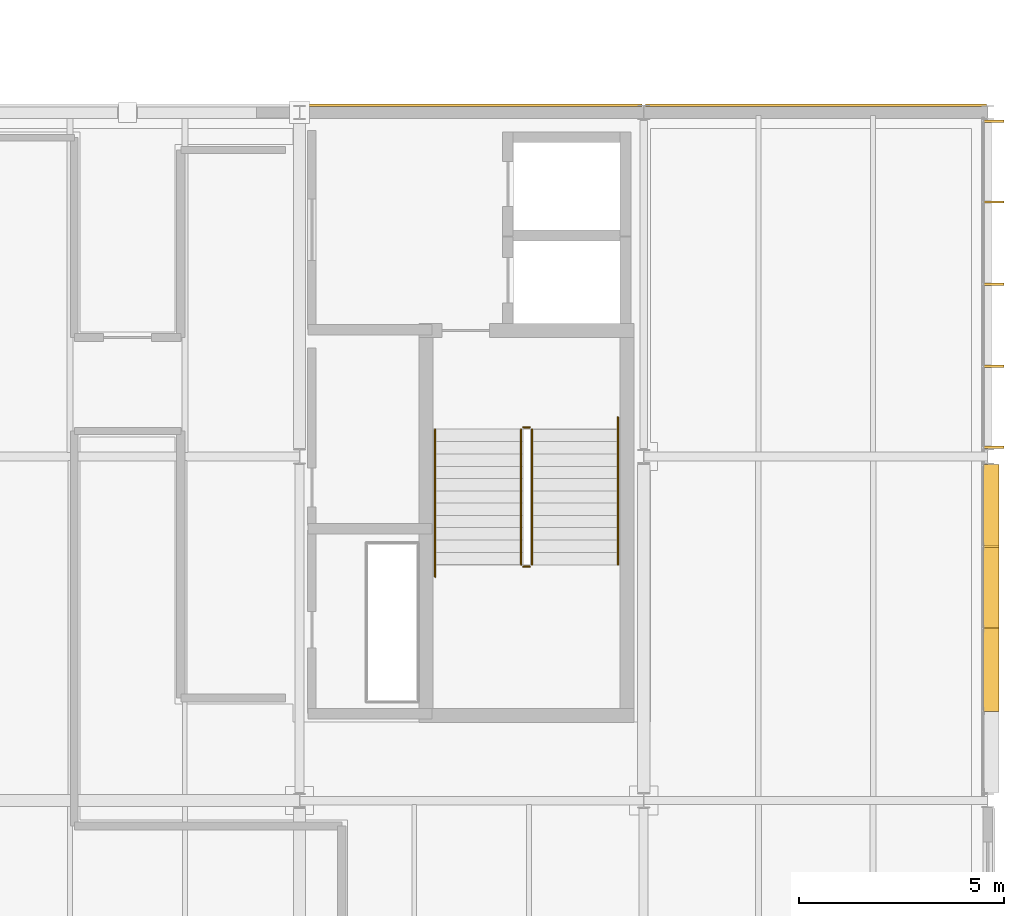
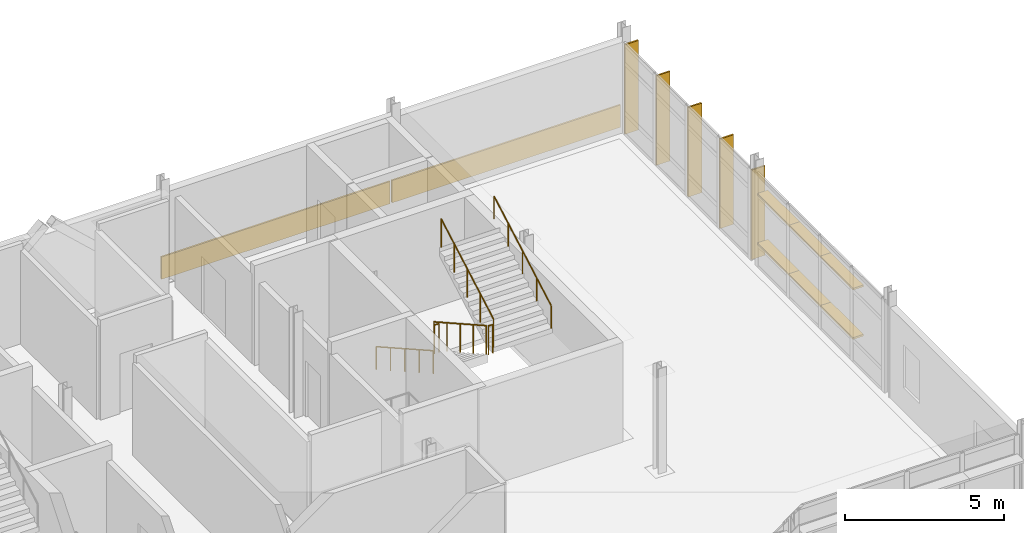
# One storey, part 57 of 57: 11 shading devices, 6 railings, 2 coverings.
"""IFC4 building model written with IfcOpenShell, lengths in metres."""

from ifc_helpers import new_model, si_unit, direction, frame, origin, origin_2d, place, context, subcontext, project, spatial, rectangle, circle, extrude, material, layer, layer_set, type_object, element, save


model = new_model("IFC4")

# Units and contexts
model_context = context("Model", 3, precision=1e-05, world=origin(), true_north=direction((0.0, 1.0)))
body_context = subcontext(model_context, "Body", "Model", "MODEL_VIEW")
ifc_project = project(units=[si_unit("LENGTHUNIT", "METRE"), si_unit("AREAUNIT", "SQUARE_METRE"), si_unit("VOLUMEUNIT", "CUBIC_METRE"), si_unit("PLANEANGLEUNIT", "RADIAN"), si_unit("MASSUNIT", "GRAM", prefix="KILO")], contexts=[model_context])

# Site, building, storey
site_placement = place(None, origin())
site = spatial("IfcSite", under=ifc_project, at=site_placement, CompositionType="ELEMENT")
building_placement = place(site_placement, origin())
building = spatial("IfcBuilding", under=site, at=building_placement, Name="Mersafa Astral City Hall", CompositionType="ELEMENT")
storey_placement = place(building_placement, frame((0.0, 0.0, 26.10009765625)))
storey = spatial("IfcBuildingStorey", under=building, at=storey_placement, Name="L06", CompositionType="ELEMENT", Elevation=26.10009765625)

# Coverings
ifc_material_1 = material(Name="Cairo Mokattam buff limestone cladding", Category="masonry")
ifc_layer = layer(ifc_material_1, 0.06005859375, Name="Cairo Mokattam buff limestone cladding")
ifc_layer_set = layer_set([ifc_layer], Name="Cairo Mokattam buff limestone cladding — ENV-COV-LIMESTONE-60")
covering_type = type_object("IfcCoveringType", Name="ENV-COV-LIMESTONE-60", PredefinedType="CLADDING", material=ifc_layer_set)
for number, where, z_axis, x_axis, name in (
    (1, (180.60009765625, 126.177001953125, 0.0), (0.0, 0.0, 1.0), (-1.0, 0.0, 0.0), "L06 Cairo buff limestone rainscreen cladding 349"),
    (2, (172.199951171875, 126.16943359375, 0.0), (0.0, 0.0, 1.0), (-1.0, 0.0, 0.0), "L06 Cairo buff limestone rainscreen cladding 350"),
):
    element("IfcCovering", number, at=place(storey_placement, frame(where, z_axis=z_axis, x_axis=x_axis)), inside=storey, type_object=covering_type, Name=name, PredefinedType="CLADDING", context=body_context, shape_type="SweptSolid", body=[
        extrude(rectangle(XDim=8.323974609375, YDim=0.06005859375, at=origin_2d()), origin(), (0.0, 0.0, 1.0), 0.860107421875),
    ])

# Shading devices
ifc_material_2 = material(Name="Anodised bronze aluminium solar fin", Category="aluminium")
shading_device_type_1 = type_object("IfcShadingDeviceType", Name="ENV-SHD-FIN-500A", PredefinedType="USERDEFINED", material=ifc_material_2)
for number, where, z_axis, x_axis, name in (
    (3, (184.945068359375, 117.822021484375, -0.01513671875), (0.0, 0.0, 1.0), (0.0, 1.0, 0.0), "L06 Vertical bronze solar fin 1640"),
    (4, (184.945068359375, 119.798583984375, -0.01513671875), (0.0, 0.0, 1.0), (0.0, 1.0, 0.0), "L06 Vertical bronze solar fin 1641"),
    (5, (184.945068359375, 121.804931640625, -0.01513671875), (0.0, 0.0, 1.0), (0.0, 1.0, 0.0), "L06 Vertical bronze solar fin 1642"),
    (6, (184.945068359375, 123.8115234375, -0.01513671875), (0.0, 0.0, 1.0), (0.0, 1.0, 0.0), "L06 Vertical bronze solar fin 1643"),
    (7, (184.945068359375, 125.7880859375, -0.01513671875), (0.0, 0.0, 1.0), (0.0, 1.0, 0.0), "L06 Vertical bronze solar fin 1644"),
):
    element("IfcShadingDevice", number, at=place(storey_placement, frame(where, z_axis=z_axis, x_axis=x_axis)), inside=storey, type_object=shading_device_type_1, Name=name, ObjectType="FIN", PredefinedType="USERDEFINED", context=body_context, shape_type="SweptSolid", body=[
        extrude(rectangle(XDim=0.06005859375, YDim=0.5, at=origin_2d()), origin(), (0.0, 0.0, 1.0), 3.447021484375),
    ])
ifc_material_3 = material(Name="Kiln-dried cedar timber brise-soleil blade", Category="wood")
shading_device_type_2 = type_object("IfcShadingDeviceType", Name="ENV-SHD-LOUVRE-380", PredefinedType="JALOUSIE", material=ifc_material_3)
for number, where, z_axis, x_axis, name in (
    (8, (184.8798828125, 112.391845703125, 0.81494140625), (0.0, 0.0, 1.0), (0.0, 1.0, 0.0), "L06 Horizontal cedar brise-soleil louvre 1633"),
    (9, (184.8798828125, 114.398193359375, 0.81494140625), (0.0, 0.0, 1.0), (0.0, 1.0, 0.0), "L06 Horizontal cedar brise-soleil louvre 1634"),
):
    element("IfcShadingDevice", number, at=place(storey_placement, frame(where, z_axis=z_axis, x_axis=x_axis)), inside=storey, type_object=shading_device_type_2, Name=name, PredefinedType="JALOUSIE", context=body_context, shape_type="SweptSolid", body=[
        extrude(rectangle(XDim=2.04638671875, YDim=0.3798828125, at=origin_2d()), origin(), (0.0, 0.0, 1.0), 0.070068359375),
    ])
shading_device_1_placement = place(storey_placement, frame((184.8798828125, 116.389892578125, 0.81494140625), z_axis=(0.0, 0.0, 1.0), x_axis=(0.0, 1.0, 0.0)))
element("IfcShadingDevice", 10, at=shading_device_1_placement, inside=storey, type_object=shading_device_type_2, Name="L06 Horizontal cedar brise-soleil louvre 1635", PredefinedType="JALOUSIE", context=body_context, shape_type="SweptSolid", body=[
    extrude(rectangle(XDim=2.0166015625, YDim=0.3798828125, at=origin_2d()), origin(), (0.0, 0.0, 1.0), 0.070068359375),
])
for number, where, z_axis, x_axis, name in (
    (11, (184.8798828125, 112.391845703125, 2.71484375), (0.0, 0.0, 1.0), (0.0, 1.0, 0.0), "L06 Horizontal cedar brise-soleil louvre 1637"),
    (12, (184.8798828125, 114.398193359375, 2.71484375), (0.0, 0.0, 1.0), (0.0, 1.0, 0.0), "L06 Horizontal cedar brise-soleil louvre 1638"),
):
    element("IfcShadingDevice", number, at=place(storey_placement, frame(where, z_axis=z_axis, x_axis=x_axis)), inside=storey, type_object=shading_device_type_2, Name=name, PredefinedType="JALOUSIE", context=body_context, shape_type="SweptSolid", body=[
        extrude(rectangle(XDim=2.04638671875, YDim=0.3798828125, at=origin_2d()), origin(), (0.0, 0.0, 1.0), 0.070068359375),
    ])
shading_device_2_placement = place(storey_placement, frame((184.8798828125, 116.389892578125, 2.71484375), z_axis=(0.0, 0.0, 1.0), x_axis=(0.0, 1.0, 0.0)))
element("IfcShadingDevice", 13, at=shading_device_2_placement, inside=storey, type_object=shading_device_type_2, Name="L06 Horizontal cedar brise-soleil louvre 1639", PredefinedType="JALOUSIE", context=body_context, shape_type="SweptSolid", body=[
    extrude(rectangle(XDim=2.0166015625, YDim=0.3798828125, at=origin_2d()), origin(), (0.0, 0.0, 1.0), 0.070068359375),
])

# Railings
ifc_material_4 = material(Name="Painted architectural steel stair guard balustrade", Category="steel")
railing_type_1 = type_object("IfcRailingType", Name="GUARD-RAIL", PredefinedType="BALUSTRADE", material=ifc_material_4)
railing_1_placement = place(storey_placement, frame((173.409912109375, 118.260009765625, 0.168701171875)))
element("IfcRailing", 14, at=railing_1_placement, inside=storey, type_object=railing_type_1, Name="L06 ST2 stair guard 1", PredefinedType="BALUSTRADE", context=body_context, shape_type="SweptSolid", body=[
    extrude(circle(Radius=0.02392578125, at=origin_2d()), frame((0.0, 0.0, 1.09619140625), z_axis=(0.0, -0.871584147158, 0.490245932592), x_axis=(1.0, 0.0, 0.0)), (0.0, 0.0, 1.0), 3.786376953125),
    extrude(circle(Radius=0.02099609375, at=origin_2d()), origin(), (0.0, 0.0, 1.0), 1.072021484375),
    extrude(circle(Radius=0.02099609375, at=origin_2d()), frame((0.0, -0.824951171875, 0.464111328125)), (0.0, 0.0, 1.0), 1.072021484375),
    extrude(circle(Radius=0.02099609375, at=origin_2d()), frame((0.0, -1.64990234375, 0.92822265625)), (0.0, 0.0, 1.0), 1.072021484375),
    extrude(circle(Radius=0.02099609375, at=origin_2d()), frame((0.0, -2.47509765625, 1.39208984375)), (0.0, 0.0, 1.0), 1.072021484375),
    extrude(circle(Radius=0.02099609375, at=origin_2d()), frame((0.0, -3.300048828125, 1.856201171875)), (0.0, 0.0, 1.0), 1.072021484375),
])
railing_2_placement = place(storey_placement, frame((173.4599609375, 114.909912109375, 2.02490234375)))
element("IfcRailing", 15, at=railing_2_placement, inside=storey, type_object=railing_type_1, Name="L06 ST2 stair guard 2", PredefinedType="BALUSTRADE", context=body_context, shape_type="SweptSolid", body=[
    extrude(circle(Radius=0.02392578125, at=origin_2d()), frame((0.0, 0.0, 1.09619140625), z_axis=(1.0, 0.0, 0.0), x_axis=(0.0, 1.0, 0.0)), (0.0, 0.0, 1.0), 0.16015625),
    extrude(circle(Radius=0.02099609375, at=origin_2d()), origin(), (0.0, 0.0, 1.0), 1.072021484375),
    extrude(circle(Radius=0.02099609375, at=origin_2d()), frame((0.16015625, 0.0, 0.0)), (0.0, 0.0, 1.0), 1.072021484375),
])
railing_3_placement = place(storey_placement, frame((173.669921875, 114.9599609375, 2.193603515625)))
element("IfcRailing", 16, at=railing_3_placement, inside=storey, type_object=railing_type_1, Name="L06 ST2 stair guard 3", PredefinedType="BALUSTRADE", context=body_context, shape_type="SweptSolid", body=[
    extrude(circle(Radius=0.02392578125, at=origin_2d()), frame((0.0, 0.0, 1.09619140625), z_axis=(0.0, 0.871584147158, 0.490245932592), x_axis=(-1.0, 0.0, 0.0)), (0.0, 0.0, 1.0), 3.786376953125),
    extrude(circle(Radius=0.02099609375, at=origin_2d()), origin(), (0.0, 0.0, 1.0), 1.072021484375),
    extrude(circle(Radius=0.02099609375, at=origin_2d()), frame((0.0, 0.824951171875, 0.464111328125)), (0.0, 0.0, 1.0), 1.072021484375),
    extrude(circle(Radius=0.02099609375, at=origin_2d()), frame((0.0, 1.64990234375, 0.92822265625)), (0.0, 0.0, 1.0), 1.072021484375),
    extrude(circle(Radius=0.02099609375, at=origin_2d()), frame((0.0, 2.47509765625, 1.39208984375)), (0.0, 0.0, 1.0), 1.072021484375),
    extrude(circle(Radius=0.02099609375, at=origin_2d()), frame((0.0, 3.300048828125, 1.856201171875)), (0.0, 0.0, 1.0), 1.072021484375),
])
railing_4_placement = place(storey_placement, frame((173.4599609375, 118.31005859375, 0.0)))
element("IfcRailing", 17, at=railing_4_placement, inside=storey, type_object=railing_type_1, Name="L06 ST2 stair guard 4", PredefinedType="BALUSTRADE", context=body_context, shape_type="SweptSolid", body=[
    extrude(circle(Radius=0.02392578125, at=origin_2d()), frame((0.0, 0.0, 1.09619140625), z_axis=(1.0, 0.0, 0.0), x_axis=(0.0, 1.0, 0.0)), (0.0, 0.0, 1.0), 0.16015625),
    extrude(circle(Radius=0.02099609375, at=origin_2d()), origin(), (0.0, 0.0, 1.0), 1.072021484375),
    extrude(circle(Radius=0.02099609375, at=origin_2d()), frame((0.16015625, 0.0, 0.0)), (0.0, 0.0, 1.0), 1.072021484375),
])
ifc_material_5 = material(Name="Brushed stainless steel tubular handrail", Category="steel")
railing_type_2 = type_object("IfcRailingType", Name="HANDRAIL", PredefinedType="HANDRAIL", material=ifc_material_5)
railing_5_placement = place(storey_placement, frame((171.31005859375, 118.260009765625, 0.168701171875)))
element("IfcRailing", 18, at=railing_5_placement, inside=storey, type_object=railing_type_2, Name="L06 ST2 stair handrail 1", PredefinedType="HANDRAIL", context=body_context, shape_type="SweptSolid", body=[
    extrude(circle(Radius=0.02392578125, at=origin_2d()), frame((0.0, 0.0, 0.8759765625), z_axis=(0.0, -0.871288196072, 0.4907717182), x_axis=(1.0, 0.0, 0.0)), (0.0, 0.0, 1.0), 4.1318359375),
    extrude(circle(Radius=0.02099609375, at=origin_2d()), origin(), (0.0, 0.0, 1.0), 0.851806640625),
    extrude(circle(Radius=0.02099609375, at=origin_2d()), frame((0.0, -0.89990234375, 0.5068359375)), (0.0, 0.0, 1.0), 0.851806640625),
    extrude(circle(Radius=0.02099609375, at=origin_2d()), frame((0.0, -1.800048828125, 1.013916015625)), (0.0, 0.0, 1.0), 0.851806640625),
    extrude(circle(Radius=0.02099609375, at=origin_2d()), frame((0.0, -2.7001953125, 1.52099609375)), (0.0, 0.0, 1.0), 0.851806640625),
    extrude(circle(Radius=0.02099609375, at=origin_2d()), frame((0.0, -3.60009765625, 2.02783203125)), (0.0, 0.0, 1.0), 0.851806640625),
])
railing_6_placement = place(storey_placement, frame((175.77001953125, 114.9599609375, 2.193603515625)))
element("IfcRailing", 19, at=railing_6_placement, inside=storey, type_object=railing_type_2, Name="L06 ST2 stair handrail 2", PredefinedType="HANDRAIL", context=body_context, shape_type="SweptSolid", body=[
    extrude(circle(Radius=0.02392578125, at=origin_2d()), frame((0.0, 0.0, 0.8759765625), z_axis=(0.0, 0.871262930089, 0.49081657129), x_axis=(-1.0, 0.0, 0.0)), (0.0, 0.0, 1.0), 4.132080078125),
    extrude(circle(Radius=0.02099609375, at=origin_2d()), origin(), (0.0, 0.0, 1.0), 0.851806640625),
    extrude(circle(Radius=0.02099609375, at=origin_2d()), frame((0.0, 0.89990234375, 0.507080078125)), (0.0, 0.0, 1.0), 0.851806640625),
    extrude(circle(Radius=0.02099609375, at=origin_2d()), frame((0.0, 1.800048828125, 1.01416015625)), (0.0, 0.0, 1.0), 0.851806640625),
    extrude(circle(Radius=0.02099609375, at=origin_2d()), frame((0.0, 2.7001953125, 1.52099609375)), (0.0, 0.0, 1.0), 0.851806640625),
    extrude(circle(Radius=0.02099609375, at=origin_2d()), frame((0.0, 3.60009765625, 2.028076171875)), (0.0, 0.0, 1.0), 0.851806640625),
])

save(model, "model.ifc")
